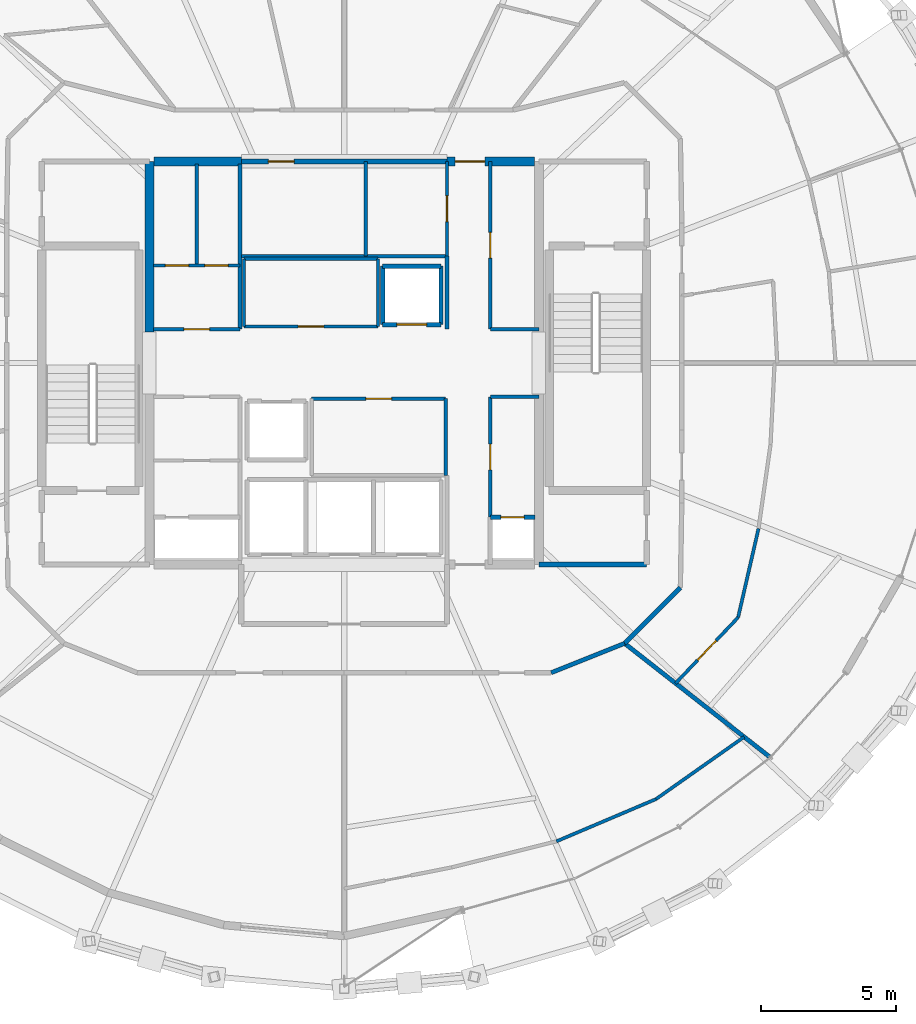
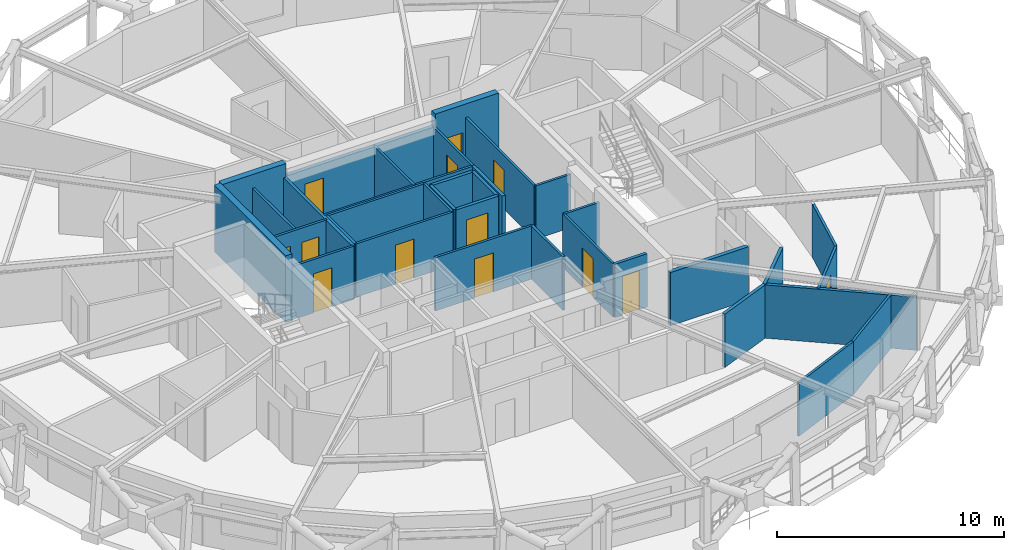
# One storey, part 14 of 17: 35 walls, 13 doors, 13 openings.
"""IFC4 building model written with IfcOpenShell, lengths in metres."""

from ifc_helpers import new_model, si_unit, direction, frame, frame_2d, origin, place, context, subcontext, project, spatial, rectangle, extrude, material, layer, layer_set, type_object, element, fill, save


model = new_model("IFC4")

# Units and contexts
model_context = context("Model", 3, precision=1e-05, world=origin(), true_north=direction((0.0, 1.0)))
body_context = subcontext(model_context, "Body", "Model", "MODEL_VIEW")
ifc_project = project(units=[si_unit("LENGTHUNIT", "METRE"), si_unit("AREAUNIT", "SQUARE_METRE"), si_unit("VOLUMEUNIT", "CUBIC_METRE"), si_unit("PLANEANGLEUNIT", "RADIAN"), si_unit("MASSUNIT", "GRAM", prefix="KILO")], contexts=[model_context])

# Site, building, storey
site_placement = place(None, origin())
site = spatial("IfcSite", under=ifc_project, at=site_placement, CompositionType="ELEMENT")
building_placement = place(site_placement, origin())
building = spatial("IfcBuilding", under=site, at=building_placement, Name="Veldorina Hangang Commons", CompositionType="ELEMENT")
storey_placement = place(building_placement, frame((0.0, 0.0, 225.60009765625)))
storey = spatial("IfcBuildingStorey", under=building, at=storey_placement, Name="L58", CompositionType="ELEMENT", Elevation=225.60009765625)

# Walls
ifc_material_1 = material(Name="Concrete C50/60", Category="concrete")
ifc_layer_1 = layer(ifc_material_1, 0.320068359375)
ifc_layer_set_1 = layer_set([ifc_layer_1], Name="Concrete C50/60")
wall_type_1 = type_object("IfcWallType", Name="CW-RC320-C50", PredefinedType="SHEAR", material=ifc_layer_set_1)
wall_1_placement = place(storey_placement, frame((24.800048828125, 25.14990234375, 0.0), z_axis=(0.0, 0.0, 1.0), x_axis=(0.0, 1.0, 0.0)))
element("IfcWall", 1, at=wall_1_placement, inside=storey, type_object=wall_type_1, Name="L58 W north core shear wall", PredefinedType="SHEAR", context=body_context, shape_type="SweptSolid", body=[
    extrude(rectangle(XDim=6.300048828125, YDim=0.320068359375, at=frame_2d((3.14990234375, 0.0))), origin(), (0.0, 0.0, 1.0), 3.599853515625),
])
wall_2_placement = place(storey_placement, frame((24.9599609375, 31.449951171875, 0.0), z_axis=(0.0, 0.0, 1.0), x_axis=(1.0, 0.0, 0.0)))
element("IfcWall", 2, at=wall_2_placement, inside=storey, type_object=wall_type_1, Name="L58 north-west core shear wall", PredefinedType="SHEAR", context=body_context, shape_type="SweptSolid", body=[
    extrude(rectangle(XDim=3.239990234375, YDim=0.320068359375, at=frame_2d((1.6201171875, 0.0))), origin(), (0.0, 0.0, 1.0), 3.599853515625),
])

# Wall, opening, door
wall_3_placement = place(storey_placement, frame((35.800048828125, 31.449951171875, 0.0), z_axis=(0.0, 0.0, 1.0), x_axis=(1.0, 0.0, 0.0)))
wall_3 = element("IfcWall", 3, at=wall_3_placement, inside=storey, type_object=wall_type_1, Name="L58 north-east core shear wall", PredefinedType="SHEAR", context=body_context, shape_type="SweptSolid", body=[
    extrude(rectangle(XDim=3.239990234375, YDim=0.320068359375, at=frame_2d((1.6201171875, 0.0))), origin(), (0.0, 0.0, 1.0), 3.599853515625),
])
opening_1_placement = place(wall_3_placement, frame((0.300048828125, 0.0, 0.0)))
opening_1 = element("IfcOpeningElement", 4, at=opening_1_placement, cuts=wall_3, Name="Opening D-08", PredefinedType="OPENING", context=body_context, shape_type="SweptSolid", body=[
    extrude(rectangle(XDim=1.10009765625, YDim=2.10009765625, at=frame_2d((0.550048828125, 1.050048828125))), frame((0.0, 0.169921875, 0.0), z_axis=(0.0, -1.0, 0.0), x_axis=(1.0, 0.0, 0.0)), (0.0, 0.0, 1.0), 0.340087890625),
])
ifc_material_2 = material(Name="Steel Fire-Rated Smoke Seal", Category="steel")
door_type_1 = type_object("IfcDoorType", Name="DR-FIRE-1100", OperationType="SINGLE_SWING_RIGHT", PredefinedType="DOOR", material=ifc_material_2)
door_1_placement = place(opening_1_placement, origin())
door_1 = element("IfcDoor", 5, at=door_1_placement, inside=storey, type_object=door_type_1, Name="L58 central lift lobby north corridor door", OperationType="SINGLE_SWING_LEFT", OverallHeight=2.10009765625, OverallWidth=1.10009765625, PredefinedType="DOOR", context=body_context, shape_type="SweptSolid", body=[
    extrude(rectangle(XDim=1.10009765625, YDim=2.10009765625, at=frame_2d((0.550048828125, 1.050048828125))), frame((0.0, 0.02490234375, 0.0), z_axis=(0.0, -1.0, 0.0), x_axis=(1.0, 0.0, 0.0)), (0.0, 0.0, 1.0), 0.050048828125),
])
fill(opening_1, door_1)

# Wall
ifc_material_3 = material(Name="Gypsum Fire-Rated Twin Stud Wall", Category="gypsum")
ifc_layer_2 = layer(ifc_material_3, 0.159912109375)
ifc_layer_set_2 = layer_set([ifc_layer_2], Name="Gypsum Fire-Rated Twin Stud Wall")
wall_type_2 = type_object("IfcWallType", Name="WL-FIRE-160", PredefinedType="SOLIDWALL", material=ifc_layer_set_2)
wall_4_placement = place(storey_placement, frame((35.800048828125, 25.25, 0.0), z_axis=(0.0, 0.0, 1.0), x_axis=(0.0, 1.0, 0.0)))
element("IfcWall", 6, at=wall_4_placement, inside=storey, type_object=wall_type_2, Name="L58 Lift passage NW lower wall 011", PredefinedType="SOLIDWALL", context=body_context, shape_type="SweptSolid", body=[
    extrude(rectangle(XDim=2.699951171875, YDim=0.159912109375, at=frame_2d((1.35009765625, 0.0))), origin(), (0.0, 0.0, 1.0), 2.869873046875),
])

# Wall, opening, door
wall_5_placement = place(storey_placement, frame((33.419921875, 25.419921875, 0.0), z_axis=(0.0, 0.0, 1.0), x_axis=(1.0, 0.0, 0.0)))
wall_5 = element("IfcWall", 7, at=wall_5_placement, inside=storey, type_object=wall_type_2, Name="L58 Mid-high front shaft wall 015", PredefinedType="SOLIDWALL", context=body_context, shape_type="SweptSolid", body=[
    extrude(rectangle(XDim=2.16015625, YDim=0.159912109375, at=frame_2d((1.080078125, 0.0))), origin(), (0.0, 0.0, 1.0), 2.869873046875),
])
opening_2_placement = place(wall_5_placement, frame((0.530029296875, 0.0, 0.0)))
opening_2 = element("IfcOpeningElement", 8, at=opening_2_placement, cuts=wall_5, Name="Opening LD-01", PredefinedType="OPENING", context=body_context, shape_type="SweptSolid", body=[
    extrude(rectangle(XDim=1.10009765625, YDim=2.14990234375, at=frame_2d((0.550048828125, 1.074951171875))), frame((0.0, 0.08984375, 0.0), z_axis=(0.0, -1.0, 0.0), x_axis=(1.0, 0.0, 0.0)), (0.0, 0.0, 1.0), 0.179931640625),
])
ifc_material_4 = material(Name="Stainless Steel Brushed Lift Door", Category="steel")
door_type_2 = type_object("IfcDoorType", Name="DR-LIFT-1100", OperationType="SLIDING_TO_LEFT", PredefinedType="DOOR", material=ifc_material_4)
door_2_placement = place(opening_2_placement, origin())
door_2 = element("IfcDoor", 9, at=door_2_placement, inside=storey, type_object=door_type_2, Name="L58 Lift PL-H1 landing door 006", OperationType="SLIDING_TO_RIGHT", OverallHeight=2.14990234375, OverallWidth=1.10009765625, PredefinedType="DOOR", context=body_context, shape_type="SweptSolid", body=[
    extrude(rectangle(XDim=1.10009765625, YDim=2.14990234375, at=frame_2d((0.550048828125, 1.074951171875))), frame((0.0, 0.02490234375, 0.0), z_axis=(0.0, -1.0, 0.0), x_axis=(1.0, 0.0, 0.0)), (0.0, 0.0, 1.0), 0.050048828125),
])
fill(opening_2, door_2)

# Walls
for number, where, z_axis, x_axis, name in (
    (10, (33.419921875, 27.580078125, 0.0), (0.0, 0.0, 1.0), (1.0, 0.0, 0.0), "L58 Mid-high rear shaft wall 016"),
    (11, (33.419921875, 25.419921875, 0.0), (0.0, 0.0, 1.0), (0.0, 1.0, 0.0), "L58 PL-H1 west shaft wall 017"),
    (12, (35.580078125, 25.419921875, 0.0), (0.0, 0.0, 1.0), (0.0, 1.0, 0.0), "L58 PL-H1 east shaft wall 018"),
):
    element("IfcWall", number, at=place(storey_placement, frame(where, z_axis=z_axis, x_axis=x_axis)), inside=storey, type_object=wall_type_2, Name=name, PredefinedType="SOLIDWALL", context=body_context, shape_type="SweptSolid", body=[
        extrude(rectangle(XDim=2.16015625, YDim=0.159912109375, at=frame_2d((1.080078125, 0.0))), origin(), (0.0, 0.0, 1.0), 2.869873046875),
    ])

# Wall, opening, door
wall_6_placement = place(storey_placement, frame((37.39990234375, 18.300048828125, 0.0), z_axis=(0.0, 0.0, 1.0), x_axis=(1.0, 0.0, 0.0)))
wall_6 = element("IfcWall", 13, at=wall_6_placement, inside=storey, type_object=wall_type_2, Name="L58 Plumbing riser wall 043", PredefinedType="SOLIDWALL", context=body_context, shape_type="SweptSolid", body=[
    extrude(rectangle(XDim=1.650146484375, YDim=0.159912109375, at=frame_2d((0.8251953125, 0.0))), origin(), (0.0, 0.0, 1.0), 2.869873046875),
])
opening_3_placement = place(wall_6_placement, frame((0.39501953125, 0.0, 0.0)))
opening_3 = element("IfcOpeningElement", 14, at=opening_3_placement, cuts=wall_6, Name="Opening D-01N", PredefinedType="OPENING", context=body_context, shape_type="SweptSolid", body=[
    extrude(rectangle(XDim=0.860107421875, YDim=2.10009765625, at=frame_2d((0.43017578125, 1.050048828125))), frame((0.0, 0.08984375, 0.0), z_axis=(0.0, -1.0, 0.0), x_axis=(1.0, 0.0, 0.0)), (0.0, 0.0, 1.0), 0.179931640625),
])
ifc_material_5 = material(Name="Timber Fire-Rated Core", Category="wood")
door_type_3 = type_object("IfcDoorType", Name="DR-INT-860", OperationType="SINGLE_SWING_LEFT", PredefinedType="DOOR", material=ifc_material_5)
door_3_placement = place(opening_3_placement, origin())
door_3 = element("IfcDoor", 15, at=door_3_placement, inside=storey, type_object=door_type_3, Name="L58 Plumbing riser access door 016", OperationType="SINGLE_SWING_RIGHT", OverallHeight=2.10009765625, OverallWidth=0.860107421875, PredefinedType="TRAPDOOR", context=body_context, shape_type="SweptSolid", body=[
    extrude(rectangle(XDim=0.860107421875, YDim=2.10009765625, at=frame_2d((0.43017578125, 1.050048828125))), frame((0.0, 0.02490234375, 0.0), z_axis=(0.0, -1.0, 0.0), x_axis=(1.0, 0.0, 0.0)), (0.0, 0.0, 1.0), 0.050048828125),
])
fill(opening_3, door_3)

# Walls
wall_7_placement = place(storey_placement, frame((28.14990234375, 25.25, 0.0), z_axis=(0.0, 0.0, 1.0), x_axis=(0.0, 1.0, 0.0)))
element("IfcWall", 16, at=wall_7_placement, inside=storey, type_object=wall_type_2, Name="L58 NW core inner wall 044", PredefinedType="SOLIDWALL", context=body_context, shape_type="SweptSolid", body=[
    extrude(rectangle(XDim=6.10009765625, YDim=0.159912109375, at=frame_2d((3.050048828125, 0.0))), origin(), (0.0, 0.0, 1.0), 2.869873046875),
])
wall_8_placement = place(storey_placement, frame((39.650634765625, 12.550048828125, 0.0), z_axis=(0.0, 0.0, 1.0), x_axis=(0.92856882165, 0.371160266542, 0.0)))
element("IfcWall", 17, at=wall_8_placement, inside=storey, type_object=wall_type_2, Name="L58 Compact collar outer wall 27 081", PredefinedType="SOLIDWALL", context=body_context, shape_type="SweptSolid", body=[
    extrude(rectangle(XDim=2.923095703125, YDim=0.159912109375, at=frame_2d((1.46142578125, 0.0))), origin(), (0.0, 0.0, 1.0), 2.869873046875),
])
wall_9_placement = place(storey_placement, frame((42.364990234375, 13.635009765625, 0.0), z_axis=(0.0, 0.0, 1.0), x_axis=(0.707106781187, 0.707106781187, 0.0)))
element("IfcWall", 18, at=wall_9_placement, inside=storey, type_object=wall_type_2, Name="L58 Compact collar outer wall 28 082", PredefinedType="SOLIDWALL", context=body_context, shape_type="SweptSolid", body=[
    extrude(rectangle(XDim=2.915771484375, YDim=0.159912109375, at=frame_2d((1.4580078125, 0.0))), origin(), (0.0, 0.0, 1.0), 2.869873046875),
])
wall_10_placement = place(storey_placement, frame((42.364990234375, 13.635009765625, 0.0), z_axis=(0.0, 0.0, 1.0), x_axis=(0.78755504873, -0.61624430644, 0.0)))
element("IfcWall", 19, at=wall_10_placement, inside=storey, type_object=wall_type_2, Name="L58 Unit party wall 28 086", PredefinedType="SOLIDWALL", context=body_context, shape_type="SweptSolid", body=[
    extrude(rectangle(XDim=6.793701171875, YDim=0.159912109375, at=frame_2d((3.39697265625, 0.0))), origin(), (0.0, 0.0, 1.0), 2.869873046875),
])
ifc_material_6 = material(Name="Concrete Blockwork Fire Wall C30/37", Category="masonry")
ifc_layer_3 = layer(ifc_material_6, 0.199951171875)
ifc_layer_set_3 = layer_set([ifc_layer_3], Name="Concrete Blockwork Fire Wall C30/37")
wall_type_3 = type_object("IfcWallType", Name="WL-FIRE-200", PredefinedType="SOLIDWALL", material=ifc_layer_set_3)
wall_11_placement = place(storey_placement, frame((39.199951171875, 16.550048828125, 0.0), z_axis=(0.0, 0.0, 1.0), x_axis=(1.0, 0.0, 0.0)))
element("IfcWall", 20, at=wall_11_placement, inside=storey, type_object=wall_type_3, Name="L58 SE core room south wall 008", PredefinedType="SOLIDWALL", context=body_context, shape_type="SweptSolid", body=[
    extrude(rectangle(XDim=3.97998046875, YDim=0.199951171875, at=frame_2d((1.989990234375, 0.0))), origin(), (0.0, 0.0, 1.0), 2.869873046875),
])

# Wall, opening, door
wall_12_placement = place(storey_placement, frame((28.199951171875, 31.449951171875, 0.0), z_axis=(0.0, 0.0, 1.0), x_axis=(1.0, 0.0, 0.0)))
wall_12 = element("IfcWall", 21, at=wall_12_placement, inside=storey, type_object=wall_type_3, Name="L58 Merged north core wall 029", PredefinedType="SOLIDWALL", context=body_context, shape_type="SweptSolid", body=[
    extrude(rectangle(XDim=7.60009765625, YDim=0.199951171875, at=frame_2d((3.800048828125, 0.0))), origin(), (0.0, 0.0, 1.0), 2.869873046875),
])
opening_4_placement = place(wall_12_placement, frame((1.0, 0.0, 0.0)))
opening_4 = element("IfcOpeningElement", 22, at=opening_4_placement, cuts=wall_12, Name="Opening D-02", PredefinedType="OPENING", context=body_context, shape_type="SweptSolid", body=[
    extrude(rectangle(XDim=0.949951171875, YDim=2.10009765625, at=frame_2d((0.47509765625, 1.050048828125))), frame((0.0, 0.10986328125, 0.0), z_axis=(0.0, -1.0, 0.0), x_axis=(1.0, 0.0, 0.0)), (0.0, 0.0, 1.0), 0.219970703125),
])
ifc_material_7 = material(Name="Timber Solid Core Acoustic", Category="wood")
door_type_4 = type_object("IfcDoorType", Name="DR-INT-950", OperationType="SINGLE_SWING_LEFT", PredefinedType="DOOR", material=ifc_material_7)
door_4_placement = place(opening_4_placement, origin())
door_4 = element("IfcDoor", 23, at=door_4_placement, inside=storey, type_object=door_type_4, Name="L58 Core study alcove door 011", OperationType="SINGLE_SWING_LEFT", OverallHeight=2.10009765625, OverallWidth=0.949951171875, PredefinedType="DOOR", context=body_context, shape_type="SweptSolid", body=[
    extrude(rectangle(XDim=0.949951171875, YDim=2.10009765625, at=frame_2d((0.47509765625, 1.050048828125))), frame((0.0, 0.02490234375, 0.0), z_axis=(0.0, -1.0, 0.0), x_axis=(1.0, 0.0, 0.0)), (0.0, 0.0, 1.0), 0.050048828125),
])
fill(opening_4, door_4)

# Wall
ifc_material_8 = material(Name="Gypsum Acoustic Stud Partition", Category="gypsum")
ifc_layer_4 = layer(ifc_material_8, 0.1201171875)
ifc_layer_set_4 = layer_set([ifc_layer_4], Name="Gypsum Acoustic Stud Partition")
wall_type_4 = type_object("IfcWallType", Name="WL-PART-120", PredefinedType="PARTITIONING", material=ifc_layer_set_4)
wall_13_placement = place(storey_placement, frame((28.199951171875, 27.949951171875, 0.0), z_axis=(0.0, 0.0, 1.0), x_axis=(1.0, 0.0, 0.0)))
element("IfcWall", 24, at=wall_13_placement, inside=storey, type_object=wall_type_4, Name="L58 Merged north south wall 030", PredefinedType="PARTITIONING", context=body_context, shape_type="SweptSolid", body=[
    extrude(rectangle(XDim=7.60009765625, YDim=0.1201171875, at=frame_2d((3.800048828125, 0.0))), origin(), (0.0, 0.0, 1.0), 2.869873046875),
])

# Wall, opening, door
wall_14_placement = place(storey_placement, frame((35.800048828125, 27.949951171875, 0.0), z_axis=(0.0, 0.0, 1.0), x_axis=(0.0, 1.0, 0.0)))
wall_14 = element("IfcWall", 25, at=wall_14_placement, inside=storey, type_object=wall_type_4, Name="L58 Merged north east wall 031", PredefinedType="PARTITIONING", context=body_context, shape_type="SweptSolid", body=[
    extrude(rectangle(XDim=3.5, YDim=0.1201171875, at=frame_2d((1.75, 0.0))), origin(), (0.0, 0.0, 1.0), 2.869873046875),
])
opening_5_placement = place(wall_14_placement, frame((1.27490234375, 0.0, 0.0)))
opening_5 = element("IfcOpeningElement", 26, at=opening_5_placement, cuts=wall_14, Name="Opening D-02", PredefinedType="OPENING", context=body_context, shape_type="SweptSolid", body=[
    extrude(rectangle(XDim=0.949951171875, YDim=2.10009765625, at=frame_2d((0.47509765625, 1.050048828125))), frame((0.0, 0.070068359375, 0.0), z_axis=(0.0, -1.0, 0.0), x_axis=(1.0, 0.0, 0.0)), (0.0, 0.0, 1.0), 0.14013671875),
])
door_5_placement = place(opening_5_placement, origin())
door_5 = element("IfcDoor", 27, at=door_5_placement, inside=storey, type_object=door_type_4, Name="L58 Core linen store door 012", OperationType="SINGLE_SWING_RIGHT", OverallHeight=2.10009765625, OverallWidth=0.949951171875, PredefinedType="DOOR", context=body_context, shape_type="SweptSolid", body=[
    extrude(rectangle(XDim=0.949951171875, YDim=2.10009765625, at=frame_2d((0.47509765625, 1.050048828125))), frame((0.0, 0.02490234375, 0.0), z_axis=(0.0, -1.0, 0.0), x_axis=(1.0, 0.0, 0.0)), (0.0, 0.0, 1.0), 0.050048828125),
])
fill(opening_5, door_5)

# Wall
wall_15_placement = place(storey_placement, frame((32.800048828125, 27.949951171875, 0.0), z_axis=(0.0, 0.0, 1.0), x_axis=(0.0, 1.0, 0.0)))
element("IfcWall", 28, at=wall_15_placement, inside=storey, type_object=wall_type_4, Name="L58 Merged north split wall 032", PredefinedType="PARTITIONING", context=body_context, shape_type="SweptSolid", body=[
    extrude(rectangle(XDim=3.5, YDim=0.1201171875, at=frame_2d((1.75, 0.0))), origin(), (0.0, 0.0, 1.0), 2.869873046875),
])

# Wall, opening, door
wall_16_placement = place(storey_placement, frame((28.300048828125, 25.35009765625, 0.0), z_axis=(0.0, 0.0, 1.0), x_axis=(1.0, 0.0, 0.0)))
wall_16 = element("IfcWall", 29, at=wall_16_placement, inside=storey, type_object=wall_type_4, Name="L58 Merged mid-bank south wall 033", PredefinedType="PARTITIONING", context=body_context, shape_type="SweptSolid", body=[
    extrude(rectangle(XDim=4.949951171875, YDim=0.1201171875, at=frame_2d((2.47509765625, 0.0))), origin(), (0.0, 0.0, 1.0), 2.869873046875),
])
opening_6_placement = place(wall_16_placement, frame((2.0, 0.0, 0.0)))
opening_6 = element("IfcOpeningElement", 30, at=opening_6_placement, cuts=wall_16, Name="Opening D-02", PredefinedType="OPENING", context=body_context, shape_type="SweptSolid", body=[
    extrude(rectangle(XDim=0.949951171875, YDim=2.10009765625, at=frame_2d((0.47509765625, 1.050048828125))), frame((0.0, 0.070068359375, 0.0), z_axis=(0.0, -1.0, 0.0), x_axis=(1.0, 0.0, 0.0)), (0.0, 0.0, 1.0), 0.14013671875),
])
door_6_placement = place(opening_6_placement, origin())
door_6 = element("IfcDoor", 31, at=door_6_placement, inside=storey, type_object=door_type_4, Name="L58 Quiet study room door 013", OperationType="SINGLE_SWING_LEFT", OverallHeight=2.10009765625, OverallWidth=0.949951171875, PredefinedType="DOOR", context=body_context, shape_type="SweptSolid", body=[
    extrude(rectangle(XDim=0.949951171875, YDim=2.10009765625, at=frame_2d((0.47509765625, 1.050048828125))), frame((0.0, 0.02490234375, 0.0), z_axis=(0.0, -1.0, 0.0), x_axis=(1.0, 0.0, 0.0)), (0.0, 0.0, 1.0), 0.050048828125),
])
fill(opening_6, door_6)

# Walls
wall_17_placement = place(storey_placement, frame((28.300048828125, 27.85009765625, 0.0), z_axis=(0.0, 0.0, 1.0), x_axis=(1.0, 0.0, 0.0)))
element("IfcWall", 32, at=wall_17_placement, inside=storey, type_object=wall_type_4, Name="L58 Merged mid-bank north wall 034", PredefinedType="PARTITIONING", context=body_context, shape_type="SweptSolid", body=[
    extrude(rectangle(XDim=4.949951171875, YDim=0.1201171875, at=frame_2d((2.47509765625, 0.0))), origin(), (0.0, 0.0, 1.0), 2.869873046875),
])
for number, where, z_axis, x_axis, name in (
    (33, (28.300048828125, 25.35009765625, 0.0), (0.0, 0.0, 1.0), (0.0, 1.0, 0.0), "L58 Merged mid-bank west wall 035"),
    (34, (33.25, 25.35009765625, 0.0), (0.0, 0.0, 1.0), (0.0, 1.0, 0.0), "L58 Merged mid-bank east wall 036"),
):
    element("IfcWall", number, at=place(storey_placement, frame(where, z_axis=z_axis, x_axis=x_axis)), inside=storey, type_object=wall_type_4, Name=name, PredefinedType="PARTITIONING", context=body_context, shape_type="SweptSolid", body=[
        extrude(rectangle(XDim=2.5, YDim=0.1201171875, at=frame_2d((1.25, 0.0))), origin(), (0.0, 0.0, 1.0), 2.869873046875),
    ])

# Wall, opening, door
wall_18_placement = place(storey_placement, frame((30.800048828125, 22.679931640625, 0.0), z_axis=(0.0, 0.0, 1.0), x_axis=(1.0, 0.0, 0.0)))
wall_18 = element("IfcWall", 35, at=wall_18_placement, inside=storey, type_object=wall_type_4, Name="L58 Merged shuttle north wall 037", PredefinedType="PARTITIONING", context=body_context, shape_type="SweptSolid", body=[
    extrude(rectangle(XDim=4.949951171875, YDim=0.1201171875, at=frame_2d((2.47509765625, 0.0))), origin(), (0.0, 0.0, 1.0), 2.869873046875),
])
opening_7_placement = place(wall_18_placement, frame((2.0, 0.0, 0.0)))
opening_7 = element("IfcOpeningElement", 36, at=opening_7_placement, cuts=wall_18, Name="Opening D-02", PredefinedType="OPENING", context=body_context, shape_type="SweptSolid", body=[
    extrude(rectangle(XDim=0.949951171875, YDim=2.10009765625, at=frame_2d((0.47509765625, 1.050048828125))), frame((0.0, 0.070068359375, 0.0), z_axis=(0.0, -1.0, 0.0), x_axis=(1.0, 0.0, 0.0)), (0.0, 0.0, 1.0), 0.14013671875),
])
door_7_placement = place(opening_7_placement, origin())
door_7 = element("IfcDoor", 37, at=door_7_placement, inside=storey, type_object=door_type_4, Name="L58 Floor tea pantry door 014", OperationType="SINGLE_SWING_RIGHT", OverallHeight=2.10009765625, OverallWidth=0.949951171875, PredefinedType="DOOR", context=body_context, shape_type="SweptSolid", body=[
    extrude(rectangle(XDim=0.949951171875, YDim=2.10009765625, at=frame_2d((0.47509765625, 1.050048828125))), frame((0.0, 0.02490234375, 0.0), z_axis=(0.0, -1.0, 0.0), x_axis=(1.0, 0.0, 0.0)), (0.0, 0.0, 1.0), 0.050048828125),
])
fill(opening_7, door_7)

# Wall
wall_19_placement = place(storey_placement, frame((35.75, 19.85009765625, 0.0), z_axis=(0.0, 0.0, 1.0), x_axis=(0.0, 1.0, 0.0)))
element("IfcWall", 38, at=wall_19_placement, inside=storey, type_object=wall_type_4, Name="L58 Merged shuttle east wall 040", PredefinedType="PARTITIONING", context=body_context, shape_type="SweptSolid", body=[
    extrude(rectangle(XDim=2.829833984375, YDim=0.1201171875, at=frame_2d((1.4150390625, 0.0))), origin(), (0.0, 0.0, 1.0), 2.869873046875),
])

# Wall, opening, door
wall_20_placement = place(storey_placement, frame((24.949951171875, 25.25, 0.0), z_axis=(0.0, 0.0, 1.0), x_axis=(1.0, 0.0, 0.0)))
wall_20 = element("IfcWall", 39, at=wall_20_placement, inside=storey, type_object=wall_type_4, Name="L58 NW service south wall 045", PredefinedType="PARTITIONING", context=body_context, shape_type="SweptSolid", body=[
    extrude(rectangle(XDim=3.199951171875, YDim=0.1201171875, at=frame_2d((1.60009765625, 0.0))), origin(), (0.0, 0.0, 1.0), 2.869873046875),
])
opening_8_placement = place(wall_20_placement, frame((1.125, 0.0, 0.0)))
opening_8 = element("IfcOpeningElement", 40, at=opening_8_placement, cuts=wall_20, Name="Opening D-02", PredefinedType="OPENING", context=body_context, shape_type="SweptSolid", body=[
    extrude(rectangle(XDim=0.949951171875, YDim=2.10009765625, at=frame_2d((0.47509765625, 1.050048828125))), frame((0.0, 0.070068359375, 0.0), z_axis=(0.0, -1.0, 0.0), x_axis=(1.0, 0.0, 0.0)), (0.0, 0.0, 1.0), 0.14013671875),
])
door_8_placement = place(opening_8_placement, origin())
door_8 = element("IfcDoor", 41, at=door_8_placement, inside=storey, type_object=door_type_4, Name="L58 Utility vestibule door 017", OperationType="SINGLE_SWING_LEFT", OverallHeight=2.10009765625, OverallWidth=0.949951171875, PredefinedType="DOOR", context=body_context, shape_type="SweptSolid", body=[
    extrude(rectangle(XDim=0.949951171875, YDim=2.10009765625, at=frame_2d((0.47509765625, 1.050048828125))), frame((0.0, 0.02490234375, 0.0), z_axis=(0.0, -1.0, 0.0), x_axis=(1.0, 0.0, 0.0)), (0.0, 0.0, 1.0), 0.050048828125),
])
fill(opening_8, door_8)

wall_21_placement = place(storey_placement, frame((37.39990234375, 25.25, 0.0), z_axis=(0.0, 0.0, 1.0), x_axis=(0.0, 1.0, 0.0)))
wall_21 = element("IfcWall", 42, at=wall_21_placement, inside=storey, type_object=wall_type_4, Name="L58 NE strip lobby wall 047", PredefinedType="PARTITIONING", context=body_context, shape_type="SweptSolid", body=[
    extrude(rectangle(XDim=6.199951171875, YDim=0.1201171875, at=frame_2d((3.10009765625, 0.0))), origin(), (0.0, 0.0, 1.0), 2.869873046875),
])
opening_9_placement = place(wall_21_placement, frame((2.625, 0.0, 0.0)))
opening_9 = element("IfcOpeningElement", 43, at=opening_9_placement, cuts=wall_21, Name="Opening D-02", PredefinedType="OPENING", context=body_context, shape_type="SweptSolid", body=[
    extrude(rectangle(XDim=0.949951171875, YDim=2.10009765625, at=frame_2d((0.47509765625, 1.050048828125))), frame((0.0, 0.070068359375, 0.0), z_axis=(0.0, -1.0, 0.0), x_axis=(1.0, 0.0, 0.0)), (0.0, 0.0, 1.0), 0.14013671875),
])
door_9_placement = place(opening_9_placement, origin())
door_9 = element("IfcDoor", 44, at=door_9_placement, inside=storey, type_object=door_type_4, Name="L58 Switchboard door 022", OperationType="SINGLE_SWING_RIGHT", OverallHeight=2.10009765625, OverallWidth=0.949951171875, PredefinedType="DOOR", context=body_context, shape_type="SweptSolid", body=[
    extrude(rectangle(XDim=0.949951171875, YDim=2.10009765625, at=frame_2d((0.47509765625, 1.050048828125))), frame((0.0, 0.02490234375, 0.0), z_axis=(0.0, -1.0, 0.0), x_axis=(1.0, 0.0, 0.0)), (0.0, 0.0, 1.0), 0.050048828125),
])
fill(opening_9, door_9)

# Wall
wall_22_placement = place(storey_placement, frame((37.39990234375, 25.25, 0.0), z_axis=(0.0, 0.0, 1.0), x_axis=(1.0, 0.0, 0.0)))
element("IfcWall", 45, at=wall_22_placement, inside=storey, type_object=wall_type_4, Name="L58 NE strip south return wall 048", PredefinedType="PARTITIONING", context=body_context, shape_type="SweptSolid", body=[
    extrude(rectangle(XDim=1.800048828125, YDim=0.1201171875, at=frame_2d((0.89990234375, 0.0))), origin(), (0.0, 0.0, 1.0), 2.869873046875),
])

# Wall, opening, door
wall_23_placement = place(storey_placement, frame((37.39990234375, 18.300048828125, 0.0), z_axis=(0.0, 0.0, 1.0), x_axis=(0.0, 1.0, 0.0)))
wall_23 = element("IfcWall", 46, at=wall_23_placement, inside=storey, type_object=wall_type_4, Name="L58 SE strip lobby wall 049", PredefinedType="PARTITIONING", context=body_context, shape_type="SweptSolid", body=[
    extrude(rectangle(XDim=4.449951171875, YDim=0.1201171875, at=frame_2d((2.22509765625, 0.0))), origin(), (0.0, 0.0, 1.0), 2.869873046875),
])
opening_10_placement = place(wall_23_placement, frame((1.75, 0.0, 0.0)))
opening_10 = element("IfcOpeningElement", 47, at=opening_10_placement, cuts=wall_23, Name="Opening D-02", PredefinedType="OPENING", context=body_context, shape_type="SweptSolid", body=[
    extrude(rectangle(XDim=0.949951171875, YDim=2.10009765625, at=frame_2d((0.47509765625, 1.050048828125))), frame((0.0, 0.070068359375, 0.0), z_axis=(0.0, -1.0, 0.0), x_axis=(1.0, 0.0, 0.0)), (0.0, 0.0, 1.0), 0.14013671875),
])
door_10_placement = place(opening_10_placement, origin())
door_10 = element("IfcDoor", 48, at=door_10_placement, inside=storey, type_object=door_type_4, Name="L58 Telemetry door 023", OperationType="SINGLE_SWING_LEFT", OverallHeight=2.10009765625, OverallWidth=0.949951171875, PredefinedType="DOOR", context=body_context, shape_type="SweptSolid", body=[
    extrude(rectangle(XDim=0.949951171875, YDim=2.10009765625, at=frame_2d((0.47509765625, 1.050048828125))), frame((0.0, 0.02490234375, 0.0), z_axis=(0.0, -1.0, 0.0), x_axis=(1.0, 0.0, 0.0)), (0.0, 0.0, 1.0), 0.050048828125),
])
fill(opening_10, door_10)

# Wall
wall_24_placement = place(storey_placement, frame((37.39990234375, 22.75, 0.0), z_axis=(0.0, 0.0, 1.0), x_axis=(1.0, 0.0, 0.0)))
element("IfcWall", 49, at=wall_24_placement, inside=storey, type_object=wall_type_4, Name="L58 SE strip north return wall 050", PredefinedType="PARTITIONING", context=body_context, shape_type="SweptSolid", body=[
    extrude(rectangle(XDim=1.800048828125, YDim=0.1201171875, at=frame_2d((0.89990234375, 0.0))), origin(), (0.0, 0.0, 1.0), 2.869873046875),
])

# Wall, openings, doors
wall_25_placement = place(storey_placement, frame((24.949951171875, 27.60009765625, 0.0), z_axis=(0.0, 0.0, 1.0), x_axis=(1.0, 0.0, 0.0)))
wall_25 = element("IfcWall", 50, at=wall_25_placement, inside=storey, type_object=wall_type_4, Name="L58 NW lower split 051", PredefinedType="PARTITIONING", context=body_context, shape_type="SweptSolid", body=[
    extrude(rectangle(XDim=3.199951171875, YDim=0.1201171875, at=frame_2d((1.60009765625, 0.0))), origin(), (0.0, 0.0, 1.0), 2.869873046875),
])
opening_11_placement = place(wall_25_placement, frame((0.43994140625, 0.0, 0.0)))
opening_11 = element("IfcOpeningElement", 51, at=opening_11_placement, cuts=wall_25, Name="Opening D-01", PredefinedType="OPENING", context=body_context, shape_type="SweptSolid", body=[
    extrude(rectangle(XDim=0.860107421875, YDim=2.10009765625, at=frame_2d((0.43017578125, 1.050048828125))), frame((0.0, 0.070068359375, 0.0), z_axis=(0.0, -1.0, 0.0), x_axis=(1.0, 0.0, 0.0)), (0.0, 0.0, 1.0), 0.14013671875),
])
opening_12_placement = place(wall_25_placement, frame((1.89990234375, 0.0, 0.0)))
opening_12 = element("IfcOpeningElement", 52, at=opening_12_placement, cuts=wall_25, Name="Opening D-01", PredefinedType="OPENING", context=body_context, shape_type="SweptSolid", body=[
    extrude(rectangle(XDim=0.860107421875, YDim=2.10009765625, at=frame_2d((0.43017578125, 1.050048828125))), frame((0.0, 0.070068359375, 0.0), z_axis=(0.0, -1.0, 0.0), x_axis=(1.0, 0.0, 0.0)), (0.0, 0.0, 1.0), 0.14013671875),
])
ifc_material_9 = material(Name="Timber Moisture-Resistant Core", Category="wood")
door_type_5 = type_object("IfcDoorType", Name="DR-WET-860", OperationType="SINGLE_SWING_LEFT", PredefinedType="DOOR", material=ifc_material_9)
door_11_placement = place(opening_11_placement, origin())
door_11 = element("IfcDoor", 53, at=door_11_placement, inside=storey, type_object=door_type_5, Name="L58 Store A door 018", OperationType="SINGLE_SWING_RIGHT", OverallHeight=2.10009765625, OverallWidth=0.860107421875, PredefinedType="DOOR", context=body_context, shape_type="SweptSolid", body=[
    extrude(rectangle(XDim=0.860107421875, YDim=2.10009765625, at=frame_2d((0.43017578125, 1.050048828125))), frame((0.0, 0.02490234375, 0.0), z_axis=(0.0, -1.0, 0.0), x_axis=(1.0, 0.0, 0.0)), (0.0, 0.0, 1.0), 0.050048828125),
])
fill(opening_11, door_11)
door_12_placement = place(opening_12_placement, origin())
door_12 = element("IfcDoor", 54, at=door_12_placement, inside=storey, type_object=door_type_5, Name="L58 Store B door 019", OperationType="SINGLE_SWING_LEFT", OverallHeight=2.10009765625, OverallWidth=0.860107421875, PredefinedType="DOOR", context=body_context, shape_type="SweptSolid", body=[
    extrude(rectangle(XDim=0.860107421875, YDim=2.10009765625, at=frame_2d((0.43017578125, 1.050048828125))), frame((0.0, 0.02490234375, 0.0), z_axis=(0.0, -1.0, 0.0), x_axis=(1.0, 0.0, 0.0)), (0.0, 0.0, 1.0), 0.050048828125),
])
fill(opening_12, door_12)

# Wall
wall_26_placement = place(storey_placement, frame((26.550048828125, 27.60009765625, 0.0), z_axis=(0.0, 0.0, 1.0), x_axis=(0.0, 1.0, 0.0)))
element("IfcWall", 55, at=wall_26_placement, inside=storey, type_object=wall_type_4, Name="L58 NW upper vertical split 052", PredefinedType="PARTITIONING", context=body_context, shape_type="SweptSolid", body=[
    extrude(rectangle(XDim=3.75, YDim=0.1201171875, at=frame_2d((1.875, 0.0))), origin(), (0.0, 0.0, 1.0), 2.869873046875),
])

# Wall, opening, door
wall_27_placement = place(storey_placement, frame((44.25146484375, 12.158935546875, 0.0), z_axis=(0.0, 0.0, 1.0), x_axis=(0.688384139407, 0.725346314951, 0.0)))
wall_27 = element("IfcWall", 56, at=wall_27_placement, inside=storey, type_object=wall_type_4, Name="L58 Lounge alcove split 0 087", PredefinedType="PARTITIONING", context=body_context, shape_type="SweptSolid", body=[
    extrude(rectangle(XDim=3.35546875, YDim=0.1201171875, at=frame_2d((1.677734375, 0.0))), origin(), (0.0, 0.0, 1.0), 2.869873046875),
])
opening_13_placement = place(wall_27_placement, frame((1.177734375, 0.0, 0.0)))
opening_13 = element("IfcOpeningElement", 57, at=opening_13_placement, cuts=wall_27, Name="Opening D-05", PredefinedType="OPENING", context=body_context, shape_type="SweptSolid", body=[
    extrude(rectangle(XDim=1.0, YDim=2.10009765625, at=frame_2d((0.5, 1.050048828125))), frame((0.0, 0.070068359375, 0.0), z_axis=(0.0, -1.0, 0.0), x_axis=(1.0, 0.0, 0.0)), (0.0, 0.0, 1.0), 0.14013671875),
])
door_type_6 = type_object("IfcDoorType", Name="DR-INT-1000", OperationType="SINGLE_SWING_RIGHT", PredefinedType="DOOR", material=ifc_material_7)
door_13_placement = place(opening_13_placement, origin())
door_13 = element("IfcDoor", 58, at=door_13_placement, inside=storey, type_object=door_type_6, Name="L58 Commons lounge door 025", OperationType="SINGLE_SWING_LEFT", OverallHeight=2.10009765625, OverallWidth=1.0, PredefinedType="DOOR", context=body_context, shape_type="SweptSolid", body=[
    extrude(rectangle(XDim=1.0, YDim=2.10009765625, at=frame_2d((0.5, 1.050048828125))), frame((0.0, 0.02490234375, 0.0), z_axis=(0.0, -1.0, 0.0), x_axis=(1.0, 0.0, 0.0)), (0.0, 0.0, 1.0), 0.050048828125),
])
fill(opening_13, door_13)

# Walls
wall_28_placement = place(storey_placement, frame((46.561279296875, 14.5927734375, 0.0), z_axis=(0.0, 0.0, 1.0), x_axis=(0.224102977653, 0.974565470047, 0.0)))
element("IfcWall", 59, at=wall_28_placement, inside=storey, type_object=wall_type_4, Name="L58 Lounge alcove split 1 088", PredefinedType="PARTITIONING", context=body_context, shape_type="SweptSolid", body=[
    extrude(rectangle(XDim=3.37060546875, YDim=0.1201171875, at=frame_2d((1.685302734375, 0.0))), origin(), (0.0, 0.0, 1.0), 2.869873046875),
])
wall_29_placement = place(storey_placement, frame((39.84521484375, 6.31591796875, 0.0), z_axis=(0.0, 0.0, 1.0), x_axis=(0.920547199032, 0.390631353521, 0.0)))
element("IfcWall", 60, at=wall_29_placement, inside=storey, type_object=wall_type_4, Name="L58 Laundry split 2 120", PredefinedType="PARTITIONING", context=body_context, shape_type="SweptSolid", body=[
    extrude(rectangle(XDim=4.0, YDim=0.1201171875, at=frame_2d((2.0, 0.0))), origin(), (0.0, 0.0, 1.0), 2.869873046875),
])
wall_30_placement = place(storey_placement, frame((43.52734375, 7.87841796875, 0.0), z_axis=(0.0, 0.0, 1.0), x_axis=(0.817051015381, 0.576565380738, 0.0)))
element("IfcWall", 61, at=wall_30_placement, inside=storey, type_object=wall_type_4, Name="L58 Laundry split 3 121", PredefinedType="PARTITIONING", context=body_context, shape_type="SweptSolid", body=[
    extrude(rectangle(XDim=3.986572265625, YDim=0.1201171875, at=frame_2d((1.9931640625, 0.0))), origin(), (0.0, 0.0, 1.0), 2.869873046875),
])

save(model, "model.ifc")
